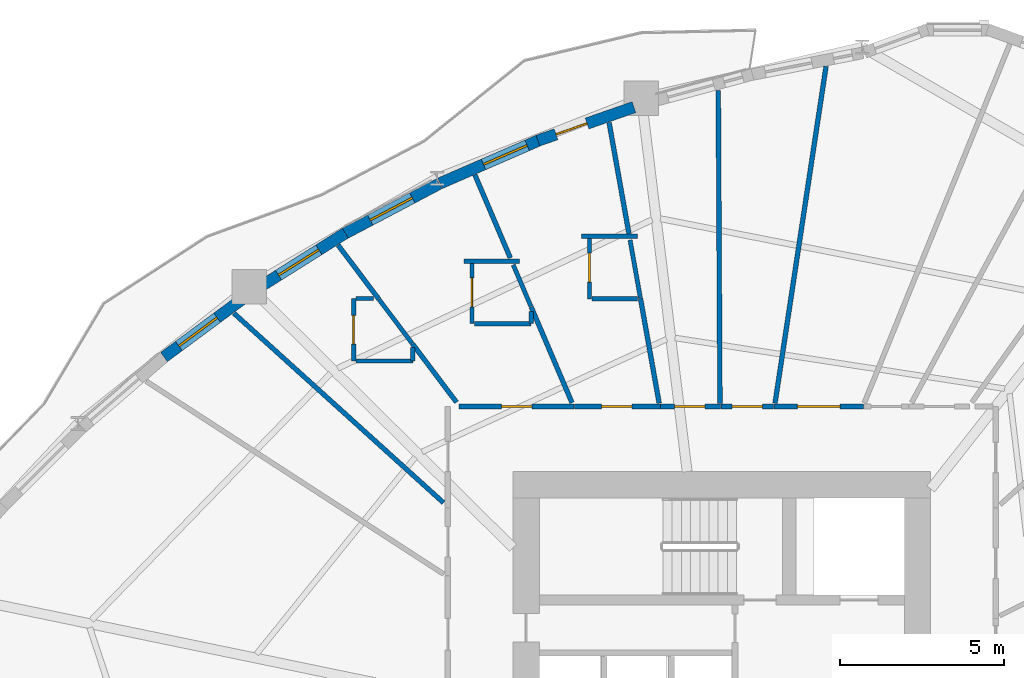
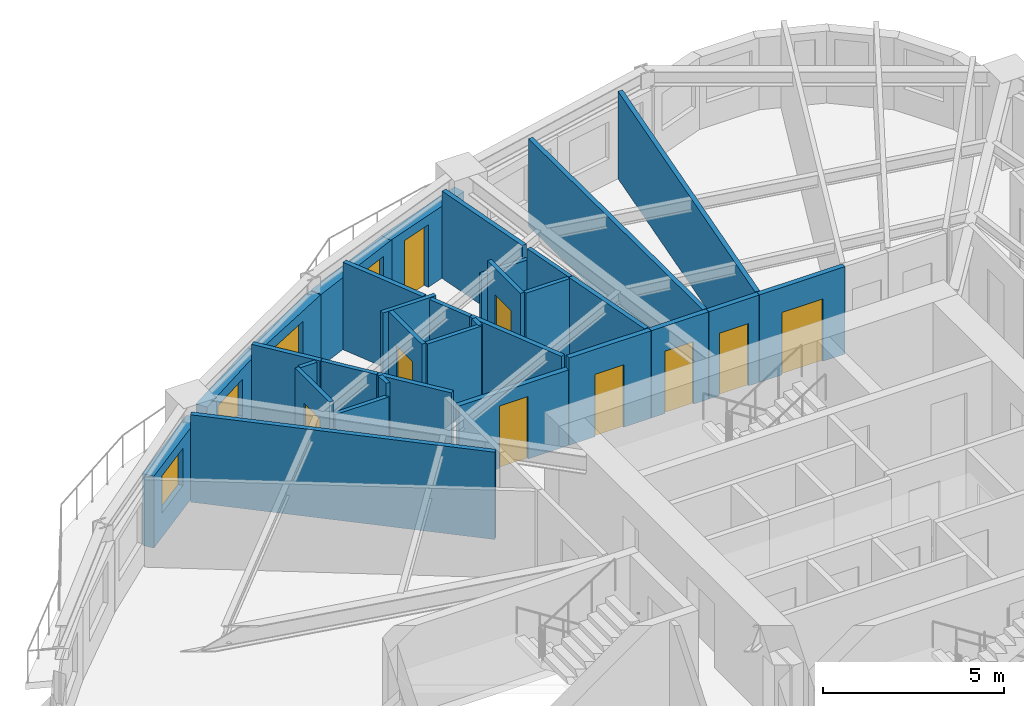
# One storey, part 8 of 14: 33 walls, 9 doors, 4 windows, 13 openings.
"""IFC4 building model written with IfcOpenShell, lengths in metres."""

from ifc_helpers import new_model, si_unit, direction, frame, frame_2d, origin, place, context, subcontext, project, spatial, rectangle, extrude, source, transform, mapped, material, layer, layer_set, type_object, element, fill, save


model = new_model("IFC4")

# Units and contexts
model_context = context("Model", 3, precision=1e-05, world=origin(), true_north=direction((0.0, 1.0)))
body_context = subcontext(model_context, "Body", "Model", "MODEL_VIEW")
ifc_project = project(units=[si_unit("LENGTHUNIT", "METRE"), si_unit("AREAUNIT", "SQUARE_METRE"), si_unit("VOLUMEUNIT", "CUBIC_METRE"), si_unit("PLANEANGLEUNIT", "RADIAN"), si_unit("MASSUNIT", "GRAM", prefix="KILO")], contexts=[model_context])

# Site, building, storey
site_placement = place(None, origin())
site = spatial("IfcSite", under=ifc_project, at=site_placement, CompositionType="ELEMENT")
building_placement = place(site_placement, origin())
building = spatial("IfcBuilding", under=site, at=building_placement, Name="Qafzar Sky-Pleat Residences", CompositionType="ELEMENT")
storey_placement = place(building_placement, frame((0.0, 0.0, 43.0)))
storey = spatial("IfcBuildingStorey", under=building, at=storey_placement, Name="L12", CompositionType="ELEMENT", Elevation=43.0)

# Wall, opening, door
ifc_material_1 = material(Name="Acoustic gypsum plasterboard partition", Category="gypsum")
ifc_layer_1 = layer(ifc_material_1, 0.159912109375)
ifc_layer_set_1 = layer_set([ifc_layer_1], Name="Acoustic gypsum plasterboard partition")
wall_type_1 = type_object("IfcWallType", Name="PART-COR-160", PredefinedType="PARTITIONING", material=ifc_layer_set_1)
wall_1_placement = place(storey_placement, frame((22.361083984375, 36.580078125, 0.0), z_axis=(0.0, 0.0, 1.0), x_axis=(1.0, 0.0, 0.0)))
wall_1 = element("IfcWall", 1, at=wall_1_placement, inside=storey, type_object=wall_type_1, Name="L12 Partition Wall PART-L12-PW-005", PredefinedType="PARTITIONING", context=body_context, shape_type="SweptSolid", body=[
    extrude(rectangle(XDim=3.497802734375, YDim=0.159912109375, at=frame_2d((1.7490234375, 0.0))), origin(), (0.0, 0.0, 1.0), 2.548095703125),
])
opening_1_placement = place(wall_1_placement, frame((1.29052734375, 0.0, 0.0)))
opening_1 = element("IfcOpeningElement", 2, at=opening_1_placement, cuts=wall_1, Name="Opening ID-04", PredefinedType="OPENING", context=body_context, shape_type="SweptSolid", body=[
    extrude(rectangle(XDim=0.919921875, YDim=2.10009765625, at=frame_2d((0.4599609375, 1.050048828125))), frame((0.0, 0.08984375, 0.0), z_axis=(0.0, -1.0, 0.0), x_axis=(1.0, 0.0, 0.0)), (0.0, 0.0, 1.0), 0.179931640625),
])
ifc_material_2 = material(Name="Timber-faced fire door", Category="wood")
door_type_1 = type_object("IfcDoorType", Name="DR-BED-920", OperationType="NOTDEFINED", PredefinedType="DOOR", material=ifc_material_2)
shared_shape_1 = source(origin(), body_context, "Body", "SweptSolid", [
    extrude(rectangle(XDim=0.919921875, YDim=2.10009765625, at=frame_2d((0.4599609375, 1.050048828125))), frame((0.0, 0.02490234375, 0.0), z_axis=(0.0, -1.0, 0.0), x_axis=(1.0, 0.0, 0.0)), (0.0, 0.0, 1.0), 0.050048828125),
])
door_1_placement = place(opening_1_placement, origin())
door_1 = element("IfcDoor", 3, at=door_1_placement, inside=storey, type_object=door_type_1, Name="L12 Co-Living Bedroom 13 Door", OperationType="SINGLE_SWING_LEFT", OverallHeight=2.10009765625, OverallWidth=0.919921875, PredefinedType="DOOR", context=body_context, shape_type="MappedRepresentation", body=[
    mapped(shared_shape_1, transform((0.0, 0.0, 0.0), x_axis=(1.0, 0.0, 0.0), y_axis=(0.0, 1.0, 0.0), z_axis=(0.0, 0.0, 1.0), scale=1.0)),
])
fill(opening_1, door_1)

wall_2_placement = place(storey_placement, frame((31.93798828125, 36.580078125, 0.0), z_axis=(0.0, 0.0, 1.0), x_axis=(1.0, 0.0, 0.0)))
wall_2 = element("IfcWall", 4, at=wall_2_placement, inside=storey, type_object=wall_type_1, Name="L12 Partition Wall PART-L12-PW-013", PredefinedType="PARTITIONING", context=body_context, shape_type="SweptSolid", body=[
    extrude(rectangle(XDim=2.718017578125, YDim=0.159912109375, at=frame_2d((1.35888671875, 0.0))), origin(), (0.0, 0.0, 1.0), 2.93994140625),
])
opening_2_placement = place(wall_2_placement, frame((0.7080078125, 0.0, 0.0)))
opening_2 = element("IfcOpeningElement", 5, at=opening_2_placement, cuts=wall_2, Name="Opening ID-05", PredefinedType="OPENING", context=body_context, shape_type="SweptSolid", body=[
    extrude(rectangle(XDim=1.300048828125, YDim=2.10009765625, at=frame_2d((0.64990234375, 1.050048828125))), frame((0.0, 0.08984375, 0.0), z_axis=(0.0, -1.0, 0.0), x_axis=(1.0, 0.0, 0.0)), (0.0, 0.0, 1.0), 0.179931640625),
])
door_type_2 = type_object("IfcDoorType", Name="DR-LNG-1300", OperationType="DOUBLE_DOOR_SINGLE_SWING", PredefinedType="DOOR", material=ifc_material_2)
shared_shape_2 = source(origin(), body_context, "Body", "SweptSolid", [
    extrude(rectangle(XDim=1.300048828125, YDim=2.10009765625, at=frame_2d((0.64990234375, 1.050048828125))), frame((0.0, 0.02490234375, 0.0), z_axis=(0.0, -1.0, 0.0), x_axis=(1.0, 0.0, 0.0)), (0.0, 0.0, 1.0), 0.050048828125),
])
door_2_placement = place(opening_2_placement, origin())
door_2 = element("IfcDoor", 6, at=door_2_placement, inside=storey, type_object=door_type_2, Name="L12 Common Dining Room Door", OperationType="DOUBLE_DOOR_SINGLE_SWING", OverallHeight=2.10009765625, OverallWidth=1.300048828125, PredefinedType="DOOR", context=body_context, shape_type="MappedRepresentation", body=[
    mapped(shared_shape_2, transform((0.0, 0.0, 0.0), x_axis=(1.0, 0.0, 0.0), y_axis=(0.0, 1.0, 0.0), z_axis=(0.0, 0.0, 1.0), scale=1.0)),
])
fill(opening_2, door_2)

wall_3_placement = place(storey_placement, frame((25.8740234375, 36.580078125, 0.0), z_axis=(0.0, 0.0, 1.0), x_axis=(1.0, 0.0, 0.0)))
wall_3 = element("IfcWall", 7, at=wall_3_placement, inside=storey, type_object=wall_type_1, Name="L12 Partition Wall PART-L12-PW-015", PredefinedType="PARTITIONING", context=body_context, shape_type="SweptSolid", body=[
    extrude(rectangle(XDim=2.60400390625, YDim=0.159912109375, at=frame_2d((1.302001953125, 0.0))), origin(), (0.0, 0.0, 1.0), 2.93994140625),
])
opening_3_placement = place(wall_3_placement, frame((0.819091796875, 0.0, 0.0)))
opening_3 = element("IfcOpeningElement", 8, at=opening_3_placement, cuts=wall_3, Name="Opening ID-04", PredefinedType="OPENING", context=body_context, shape_type="SweptSolid", body=[
    extrude(rectangle(XDim=0.919921875, YDim=2.10009765625, at=frame_2d((0.4599609375, 1.050048828125))), frame((0.0, 0.08984375, 0.0), z_axis=(0.0, -1.0, 0.0), x_axis=(1.0, 0.0, 0.0)), (0.0, 0.0, 1.0), 0.179931640625),
])
door_3_placement = place(opening_3_placement, origin())
door_3 = element("IfcDoor", 9, at=door_3_placement, inside=storey, type_object=door_type_1, Name="L12 Co-Living Bedroom 14 Door", OperationType="SINGLE_SWING_LEFT", OverallHeight=2.10009765625, OverallWidth=0.919921875, PredefinedType="DOOR", context=body_context, shape_type="MappedRepresentation", body=[
    mapped(shared_shape_1, transform((0.0, 0.0, 0.0), x_axis=(1.0, 0.0, 0.0), y_axis=(0.0, 1.0, 0.0), z_axis=(0.0, 0.0, 1.0), scale=1.0)),
])
fill(opening_3, door_3)

wall_4_placement = place(storey_placement, frame((28.492919921875, 36.580078125, 0.0), z_axis=(0.0, 0.0, 1.0), x_axis=(1.0, 0.0, 0.0)))
wall_4 = element("IfcWall", 10, at=wall_4_placement, inside=storey, type_object=wall_type_1, Name="L12 Partition Wall PART-L12-PW-030", PredefinedType="PARTITIONING", context=body_context, shape_type="SweptSolid", body=[
    extrude(rectangle(XDim=1.816162109375, YDim=0.159912109375, at=frame_2d((0.908203125, 0.0))), origin(), (0.0, 0.0, 1.0), 2.93994140625),
])
opening_4_placement = place(wall_4_placement, frame((0.425537109375, 0.0, 0.0)))
opening_4 = element("IfcOpeningElement", 11, at=opening_4_placement, cuts=wall_4, Name="Opening ID-04", PredefinedType="OPENING", context=body_context, shape_type="SweptSolid", body=[
    extrude(rectangle(XDim=0.919921875, YDim=2.10009765625, at=frame_2d((0.4599609375, 1.050048828125))), frame((0.0, 0.08984375, 0.0), z_axis=(0.0, -1.0, 0.0), x_axis=(1.0, 0.0, 0.0)), (0.0, 0.0, 1.0), 0.179931640625),
])
door_4_placement = place(opening_4_placement, origin())
door_4 = element("IfcDoor", 12, at=door_4_placement, inside=storey, type_object=door_type_1, Name="L12 Co-Living Bedroom 11 Door", OperationType="SINGLE_SWING_RIGHT", OverallHeight=2.10009765625, OverallWidth=0.919921875, PredefinedType="DOOR", context=body_context, shape_type="MappedRepresentation", body=[
    mapped(shared_shape_1, transform((0.0, 0.0, 0.0), x_axis=(1.0, 0.0, 0.0), y_axis=(0.0, 1.0, 0.0), z_axis=(0.0, 0.0, 1.0), scale=1.0)),
])
fill(opening_4, door_4)

wall_5_placement = place(storey_placement, frame((30.323974609375, 36.580078125, 0.0), z_axis=(0.0, 0.0, 1.0), x_axis=(1.0, 0.0, 0.0)))
wall_5 = element("IfcWall", 13, at=wall_5_placement, inside=storey, type_object=wall_type_1, Name="L12 Partition Wall PART-L12-PW-032", PredefinedType="PARTITIONING", context=body_context, shape_type="SweptSolid", body=[
    extrude(rectangle(XDim=1.59912109375, YDim=0.159912109375, at=frame_2d((0.799560546875, 0.0))), origin(), (0.0, 0.0, 1.0), 2.93994140625),
])
opening_5_placement = place(wall_5_placement, frame((0.339599609375, 0.0, 0.0)))
opening_5 = element("IfcOpeningElement", 14, at=opening_5_placement, cuts=wall_5, Name="Opening ID-04", PredefinedType="OPENING", context=body_context, shape_type="SweptSolid", body=[
    extrude(rectangle(XDim=0.919921875, YDim=2.10009765625, at=frame_2d((0.4599609375, 1.050048828125))), frame((0.0, 0.08984375, 0.0), z_axis=(0.0, -1.0, 0.0), x_axis=(1.0, 0.0, 0.0)), (0.0, 0.0, 1.0), 0.179931640625),
])
door_5_placement = place(opening_5_placement, origin())
door_5 = element("IfcDoor", 15, at=door_5_placement, inside=storey, type_object=door_type_1, Name="L12 Co-Living Bedroom 12 Door", OperationType="SINGLE_SWING_RIGHT", OverallHeight=2.10009765625, OverallWidth=0.919921875, PredefinedType="DOOR", context=body_context, shape_type="MappedRepresentation", body=[
    mapped(shared_shape_1, transform((0.0, 0.0, 0.0), x_axis=(1.0, 0.0, 0.0), y_axis=(0.0, 1.0, 0.0), z_axis=(0.0, 0.0, 1.0), scale=1.0)),
])
fill(opening_5, door_5)

# Walls
ifc_layer_2 = layer(ifc_material_1, 0.14501953125)
ifc_layer_set_2 = layer_set([ifc_layer_2], Name="Acoustic gypsum plasterboard partition")
wall_type_2 = type_object("IfcWallType", Name="PART-UNIT-145", PredefinedType="PARTITIONING", material=ifc_layer_set_2)
wall_6_placement = place(storey_placement, frame((31.968017578125, 36.6787109375, 0.0), z_axis=(0.0, 0.0, 1.0), x_axis=(0.149735581821, 0.9887260771, 0.0)))
element("IfcWall", 16, at=wall_6_placement, inside=storey, type_object=wall_type_2, Name="L12 Partition Wall PART-L12-PW-040", PredefinedType="PARTITIONING", context=body_context, shape_type="SweptSolid", body=[
    extrude(rectangle(XDim=10.361572265625, YDim=0.14501953125, at=frame_2d((5.1806640625, 0.0))), origin(), (0.0, 0.0, 1.0), 2.93994140625),
])
wall_7_placement = place(storey_placement, frame((30.2421875, 46.18798828125, 0.0), z_axis=(0.0, 0.0, 1.0), x_axis=(0.00538564204, -0.999985497325, 0.0)))
element("IfcWall", 17, at=wall_7_placement, inside=storey, type_object=wall_type_2, Name="L12 Partition Wall PART-L12-PW-042", PredefinedType="PARTITIONING", context=body_context, shape_type="SweptSolid", body=[
    extrude(rectangle(XDim=9.519775390625, YDim=0.14501953125, at=frame_2d((4.759765625, 0.0))), origin(), (0.0, 0.0, 1.0), 2.93994140625),
])
wall_8_placement = place(storey_placement, frame((15.516357421875, 39.412841796875, 0.0), z_axis=(0.0, 0.0, 1.0), x_axis=(0.741796419009, -0.670625135784, 0.0)))
element("IfcWall", 18, at=wall_8_placement, inside=storey, type_object=wall_type_2, Name="L12 Partition Wall PART-L12-PW-043", PredefinedType="PARTITIONING", context=body_context, shape_type="SweptSolid", body=[
    extrude(rectangle(XDim=8.586181640625, YDim=0.14501953125, at=frame_2d((4.29296875, 0.0))), origin(), (0.0, 0.0, 1.0), 2.93994140625),
])
wall_9_placement = place(storey_placement, frame((26.923095703125, 45.212890625, 0.0), z_axis=(0.0, 0.0, 1.0), x_axis=(0.175687492323, -0.98444598889, 0.0)))
element("IfcWall", 19, at=wall_9_placement, inside=storey, type_object=wall_type_2, Name="L12 Partition Wall PART-L12-PW-055", PredefinedType="PARTITIONING", context=body_context, shape_type="SweptSolid", body=[
    extrude(rectangle(XDim=3.440673828125, YDim=0.14501953125, at=frame_2d((1.72021484375, 0.0))), origin(), (0.0, 0.0, 1.0), 2.93994140625),
])
wall_10_placement = place(storey_placement, frame((27.8759765625, 39.8701171875, 0.0), z_axis=(0.0, 0.0, 1.0), x_axis=(0.175655014507, -0.984451784436, 0.0)))
element("IfcWall", 20, at=wall_10_placement, inside=storey, type_object=wall_type_2, Name="L12 Partition Wall PART-L12-PW-058", PredefinedType="PARTITIONING", context=body_context, shape_type="SweptSolid", body=[
    extrude(rectangle(XDim=3.23974609375, YDim=0.14501953125, at=frame_2d((1.619873046875, 0.0))), origin(), (0.0, 0.0, 1.0), 2.93994140625),
])
wall_11_placement = place(storey_placement, frame((24.552001953125, 39.610107421875, 0.0), z_axis=(0.0, 0.0, 1.0), x_axis=(0.391974411108, -0.919976119819, 0.0)))
element("IfcWall", 21, at=wall_11_placement, inside=storey, type_object=wall_type_2, Name="L12 Partition Wall PART-L12-PW-059", PredefinedType="PARTITIONING", context=body_context, shape_type="SweptSolid", body=[
    extrude(rectangle(XDim=3.167724609375, YDim=0.14501953125, at=frame_2d((1.583984375, 0.0))), origin(), (0.0, 0.0, 1.0), 2.93994140625),
])
wall_12_placement = place(storey_placement, frame((22.84130859375, 43.6259765625, 0.0), z_axis=(0.0, 0.0, 1.0), x_axis=(0.392030625658, -0.919952166445, 0.0)))
element("IfcWall", 22, at=wall_12_placement, inside=storey, type_object=wall_type_2, Name="L12 Partition Wall PART-L12-PW-062", PredefinedType="PARTITIONING", context=body_context, shape_type="SweptSolid", body=[
    extrude(rectangle(XDim=2.7470703125, YDim=0.14501953125, at=frame_2d((1.37353515625, 0.0))), origin(), (0.0, 0.0, 1.0), 2.93994140625),
])
wall_13_placement = place(storey_placement, frame((20.94091796875, 38.489990234375, 0.0), z_axis=(0.0, 0.0, 1.0), x_axis=(0.601733790382, -0.798696716853, 0.0)))
element("IfcWall", 23, at=wall_13_placement, inside=storey, type_object=wall_type_2, Name="L12 Partition Wall PART-L12-PW-066", PredefinedType="PARTITIONING", context=body_context, shape_type="SweptSolid", body=[
    extrude(rectangle(XDim=2.228759765625, YDim=0.14501953125, at=frame_2d((1.1142578125, 0.0))), origin(), (0.0, 0.0, 1.0), 2.93994140625),
])
wall_14_placement = place(storey_placement, frame((18.681396484375, 41.48876953125, 0.0), z_axis=(0.0, 0.0, 1.0), x_axis=(0.601842551228, -0.79861476541, 0.0)))
element("IfcWall", 24, at=wall_14_placement, inside=storey, type_object=wall_type_2, Name="L12 Partition Wall PART-L12-PW-068", PredefinedType="PARTITIONING", context=body_context, shape_type="SweptSolid", body=[
    extrude(rectangle(XDim=2.0546875, YDim=0.14501953125, at=frame_2d((1.02734375, 0.0))), origin(), (0.0, 0.0, 1.0), 2.93994140625),
])

# Wall, opening, door
ifc_material_3 = material(Name="Moisture-resistant gypsum partition", Category="gypsum")
ifc_layer_3 = layer(ifc_material_3, 0.1298828125)
ifc_layer_set_3 = layer_set([ifc_layer_3], Name="Moisture-resistant gypsum partition")
wall_type_3 = type_object("IfcWallType", Name="PART-WET-130", PredefinedType="PARTITIONING", material=ifc_layer_set_3)
wall_15_placement = place(storey_placement, frame((26.324951171875, 41.681884765625, 0.0), z_axis=(0.0, 0.0, 1.0), x_axis=(0.0, -1.0, 0.0)))
wall_15 = element("IfcWall", 25, at=wall_15_placement, inside=storey, type_object=wall_type_3, Name="L12 Partition Wall PART-L12-PW-019", PredefinedType="PARTITIONING", context=body_context, shape_type="SweptSolid", body=[
    extrude(rectangle(XDim=1.826904296875, YDim=0.1298828125, at=frame_2d((0.91357421875, 0.0))), origin(), (0.0, 0.0, 1.0), 2.93994140625),
])
opening_6_placement = place(wall_15_placement, frame((0.43701171875, 0.0, 0.0)))
opening_6 = element("IfcOpeningElement", 26, at=opening_6_placement, cuts=wall_15, Name="Opening ID-07", PredefinedType="OPENING", context=body_context, shape_type="SweptSolid", body=[
    extrude(rectangle(XDim=0.8798828125, YDim=2.050048828125, at=frame_2d((0.43994140625, 1.02490234375))), frame((0.0, 0.074951171875, 0.0), z_axis=(0.0, -1.0, 0.0), x_axis=(1.0, 0.0, 0.0)), (0.0, 0.0, 1.0), 0.14990234375),
])
door_type_3 = type_object("IfcDoorType", Name="DR-WET-880", OperationType="NOTDEFINED", PredefinedType="DOOR", material=ifc_material_2)
shared_shape_3 = source(origin(), body_context, "Body", "SweptSolid", [
    extrude(rectangle(XDim=0.8798828125, YDim=2.050048828125, at=frame_2d((0.43994140625, 1.02490234375))), frame((0.0, 0.02490234375, 0.0), z_axis=(0.0, -1.0, 0.0), x_axis=(1.0, 0.0, 0.0)), (0.0, 0.0, 1.0), 0.050048828125),
])
door_6_placement = place(opening_6_placement, origin())
door_6 = element("IfcDoor", 27, at=door_6_placement, inside=storey, type_object=door_type_3, Name="L12 En-suite Bathroom 14 Door", OperationType="SINGLE_SWING_LEFT", OverallHeight=2.050048828125, OverallWidth=0.8798828125, PredefinedType="DOOR", context=body_context, shape_type="MappedRepresentation", body=[
    mapped(shared_shape_3, transform((0.0, 0.0, 0.0), x_axis=(1.0, 0.0, 0.0), y_axis=(0.0, 1.0, 0.0), z_axis=(0.0, 0.0, 1.0), scale=1.0)),
])
fill(opening_6, door_6)

wall_16_placement = place(storey_placement, frame((22.751953125, 40.925048828125, 0.0), z_axis=(0.0, 0.0, 1.0), x_axis=(0.0, -1.0, 0.0)))
wall_16 = element("IfcWall", 28, at=wall_16_placement, inside=storey, type_object=wall_type_3, Name="L12 Partition Wall PART-L12-PW-026", PredefinedType="PARTITIONING", context=body_context, shape_type="SweptSolid", body=[
    extrude(rectangle(XDim=1.8271484375, YDim=0.1298828125, at=frame_2d((0.91357421875, 0.0))), origin(), (0.0, 0.0, 1.0), 2.93994140625),
])
opening_7_placement = place(wall_16_placement, frame((0.43701171875, 0.0, 0.0)))
opening_7 = element("IfcOpeningElement", 29, at=opening_7_placement, cuts=wall_16, Name="Opening ID-07", PredefinedType="OPENING", context=body_context, shape_type="SweptSolid", body=[
    extrude(rectangle(XDim=0.8798828125, YDim=2.050048828125, at=frame_2d((0.43994140625, 1.02490234375))), frame((0.0, 0.074951171875, 0.0), z_axis=(0.0, -1.0, 0.0), x_axis=(1.0, 0.0, 0.0)), (0.0, 0.0, 1.0), 0.14990234375),
])
door_7_placement = place(opening_7_placement, origin())
door_7 = element("IfcDoor", 30, at=door_7_placement, inside=storey, type_object=door_type_3, Name="L12 En-suite Bathroom 13 Door", OperationType="SINGLE_SWING_RIGHT", OverallHeight=2.050048828125, OverallWidth=0.8798828125, PredefinedType="DOOR", context=body_context, shape_type="MappedRepresentation", body=[
    mapped(shared_shape_3, transform((0.0, 0.0, 0.0), x_axis=(1.0, 0.0, 0.0), y_axis=(0.0, 1.0, 0.0), z_axis=(0.0, 0.0, 1.0), scale=1.0)),
])
fill(opening_7, door_7)

wall_17_placement = place(storey_placement, frame((19.156005859375, 39.863037109375, 0.0), z_axis=(0.0, 0.0, 1.0), x_axis=(0.0, -1.0, 0.0)))
wall_17 = element("IfcWall", 31, at=wall_17_placement, inside=storey, type_object=wall_type_3, Name="L12 Partition Wall PART-L12-PW-027", PredefinedType="PARTITIONING", context=body_context, shape_type="SweptSolid", body=[
    extrude(rectangle(XDim=1.900146484375, YDim=0.1298828125, at=frame_2d((0.9501953125, 0.0))), origin(), (0.0, 0.0, 1.0), 2.93994140625),
])
opening_8_placement = place(wall_17_placement, frame((0.510009765625, 0.0, 0.0)))
opening_8 = element("IfcOpeningElement", 32, at=opening_8_placement, cuts=wall_17, Name="Opening ID-07", PredefinedType="OPENING", context=body_context, shape_type="SweptSolid", body=[
    extrude(rectangle(XDim=0.8798828125, YDim=2.050048828125, at=frame_2d((0.43994140625, 1.02490234375))), frame((0.0, 0.074951171875, 0.0), z_axis=(0.0, -1.0, 0.0), x_axis=(1.0, 0.0, 0.0)), (0.0, 0.0, 1.0), 0.14990234375),
])
door_8_placement = place(opening_8_placement, origin())
door_8 = element("IfcDoor", 33, at=door_8_placement, inside=storey, type_object=door_type_3, Name="L12 En-suite Bathroom 16 Door", OperationType="SINGLE_SWING_LEFT", OverallHeight=2.050048828125, OverallWidth=0.8798828125, PredefinedType="DOOR", context=body_context, shape_type="MappedRepresentation", body=[
    mapped(shared_shape_3, transform((0.0, 0.0, 0.0), x_axis=(1.0, 0.0, 0.0), y_axis=(0.0, 1.0, 0.0), z_axis=(0.0, 0.0, 1.0), scale=1.0)),
])
fill(opening_8, door_8)

# Walls
wall_18_placement = place(storey_placement, frame((27.56005859375, 41.640869140625, 0.0), z_axis=(0.0, 0.0, 1.0), x_axis=(0.175463771609, -0.9844858886, 0.0)))
element("IfcWall", 34, at=wall_18_placement, inside=storey, type_object=wall_type_3, Name="L12 Partition Wall PART-L12-PW-071", PredefinedType="PARTITIONING", context=body_context, shape_type="SweptSolid", body=[
    extrude(rectangle(XDim=1.78369140625, YDim=0.1298828125, at=frame_2d((0.891845703125, 0.0))), origin(), (0.0, 0.0, 1.0), 2.93994140625),
])
wall_19_placement = place(storey_placement, frame((22.824951171875, 39.097900390625, 0.0), z_axis=(0.0, 0.0, 1.0), x_axis=(1.0, 0.0, 0.0)))
element("IfcWall", 35, at=wall_19_placement, inside=storey, type_object=wall_type_3, Name="L12 Partition Wall PART-L12-PW-079", PredefinedType="PARTITIONING", context=body_context, shape_type="SweptSolid", body=[
    extrude(rectangle(XDim=1.72705078125, YDim=0.1298828125, at=frame_2d((0.863525390625, 0.0))), origin(), (0.0, 0.0, 1.0), 2.93994140625),
])
wall_20_placement = place(storey_placement, frame((19.22900390625, 37.962890625, 0.0), z_axis=(0.0, 0.0, 1.0), x_axis=(1.0, 0.0, 0.0)))
element("IfcWall", 36, at=wall_20_placement, inside=storey, type_object=wall_type_3, Name="L12 Partition Wall PART-L12-PW-080", PredefinedType="PARTITIONING", context=body_context, shape_type="SweptSolid", body=[
    extrude(rectangle(XDim=1.72705078125, YDim=0.1298828125, at=frame_2d((0.863525390625, 0.0))), origin(), (0.0, 0.0, 1.0), 2.508056640625),
])
wall_21_placement = place(storey_placement, frame((19.9267578125, 39.835693359375, 0.0), z_axis=(0.0, 0.0, 1.0), x_axis=(0.601846185739, -0.798612026401, 0.0)))
element("IfcWall", 37, at=wall_21_placement, inside=storey, type_object=wall_type_3, Name="L12 Partition Wall PART-L12-PW-084", PredefinedType="PARTITIONING", context=body_context, shape_type="SweptSolid", body=[
    extrude(rectangle(XDim=1.670166015625, YDim=0.1298828125, at=frame_2d((0.8349609375, 0.0))), origin(), (0.0, 0.0, 1.0), 2.93994140625),
])
wall_22_placement = place(storey_placement, frame((26.39794921875, 39.85498046875, 0.0), z_axis=(0.0, 0.0, 1.0), x_axis=(1.0, 0.0, 0.0)))
element("IfcWall", 38, at=wall_22_placement, inside=storey, type_object=wall_type_3, Name="L12 Partition Wall PART-L12-PW-088", PredefinedType="PARTITIONING", context=body_context, shape_type="SweptSolid", body=[
    extrude(rectangle(XDim=1.387939453125, YDim=0.1298828125, at=frame_2d((0.69384765625, 0.0))), origin(), (0.0, 0.0, 1.0), 2.93994140625),
])
wall_23_placement = place(storey_placement, frame((24.008544921875, 40.886474609375, 0.0), z_axis=(0.0, 0.0, 1.0), x_axis=(0.39172821254, -0.920080978773, 0.0)))
element("IfcWall", 39, at=wall_23_placement, inside=storey, type_object=wall_type_3, Name="L12 Partition Wall PART-L12-PW-089", PredefinedType="PARTITIONING", context=body_context, shape_type="SweptSolid", body=[
    extrude(rectangle(XDim=1.372314453125, YDim=0.1298828125, at=frame_2d((0.68603515625, 0.0))), origin(), (0.0, 0.0, 1.0), 2.93994140625),
])
wall_24_placement = place(storey_placement, frame((26.0849609375, 41.7548828125, 0.0), z_axis=(0.0, 0.0, 1.0), x_axis=(1.0, 0.0, 0.0)))
element("IfcWall", 40, at=wall_24_placement, inside=storey, type_object=wall_type_3, Name="L12 Partition Wall PART-L12-PW-095", PredefinedType="PARTITIONING", context=body_context, shape_type="SweptSolid", body=[
    extrude(rectangle(XDim=1.695068359375, YDim=0.1298828125, at=frame_2d((0.84765625, 0.0))), origin(), (0.0, 0.0, 1.0), 2.508056640625),
])
wall_25_placement = place(storey_placement, frame((22.511962890625, 40.998046875, 0.0), z_axis=(0.0, 0.0, 1.0), x_axis=(1.0, 0.0, 0.0)))
element("IfcWall", 41, at=wall_25_placement, inside=storey, type_object=wall_type_3, Name="L12 Partition Wall PART-L12-PW-097", PredefinedType="PARTITIONING", context=body_context, shape_type="SweptSolid", body=[
    extrude(rectangle(XDim=1.68896484375, YDim=0.1298828125, at=frame_2d((0.844482421875, 0.0))), origin(), (0.0, 0.0, 1.0), 2.93994140625),
])
wall_26_placement = place(storey_placement, frame((19.22900390625, 39.863037109375, 0.0), z_axis=(0.0, 0.0, 1.0), x_axis=(1.0, 0.0, 0.0)))
element("IfcWall", 42, at=wall_26_placement, inside=storey, type_object=wall_type_3, Name="L12 Partition Wall PART-L12-PW-108", PredefinedType="PARTITIONING", context=body_context, shape_type="SweptSolid", body=[
    extrude(rectangle(XDim=0.5302734375, YDim=0.1298828125, at=frame_2d((0.26513671875, 0.0))), origin(), (0.0, 0.0, 1.0), 2.93994140625),
])
wall_27_placement = place(storey_placement, frame((24.552001953125, 39.097900390625, 0.0), z_axis=(0.0, 0.0, 1.0), x_axis=(0.0, 1.0, 0.0)))
element("IfcWall", 43, at=wall_27_placement, inside=storey, type_object=wall_type_3, Name="L12 Partition Wall PART-L12-PW-110", PredefinedType="PARTITIONING", context=body_context, shape_type="SweptSolid", body=[
    extrude(rectangle(XDim=0.377197265625, YDim=0.1298828125, at=frame_2d((0.1884765625, 0.0))), origin(), (0.0, 0.0, 1.0), 2.93994140625),
])
wall_28_placement = place(storey_placement, frame((20.9560546875, 37.962890625, 0.0), z_axis=(0.0, 0.0, 1.0), x_axis=(0.0, 1.0, 0.0)))
element("IfcWall", 44, at=wall_28_placement, inside=storey, type_object=wall_type_3, Name="L12 Partition Wall PART-L12-PW-111", PredefinedType="PARTITIONING", context=body_context, shape_type="SweptSolid", body=[
    extrude(rectangle(XDim=0.4169921875, YDim=0.1298828125, at=frame_2d((0.20849609375, 0.0))), origin(), (0.0, 0.0, 1.0), 2.93994140625),
])

# Wall, opening, door
ifc_material_4 = material(Name="Precast concrete C40/50 with honed Riyadh limestone", Category="concrete")
ifc_layer_4 = layer(ifc_material_4, 0.35009765625)
ifc_layer_set_4 = layer_set([ifc_layer_4], Name="Precast concrete C40/50 with honed Riyadh limestone")
wall_type_4 = type_object("IfcWallType", Name="WALL-EXT-350", PredefinedType="SOLIDWALL", material=ifc_layer_set_4)
wall_29_placement = place(storey_placement, frame((27.67919921875, 45.6826171875, 0.0), z_axis=(0.0, 0.0, 1.0), x_axis=(-0.944147093892, -0.32952430122, 0.0)))
wall_29 = element("IfcWall", 45, at=wall_29_placement, inside=storey, type_object=wall_type_4, Name="L12 Limestone Facade Wall 41", PredefinedType="SOLIDWALL", context=body_context, shape_type="SweptSolid", body=[
    extrude(rectangle(XDim=3.093994140625, YDim=0.35009765625, at=frame_2d((1.546875, 0.0))), origin(), (0.0, 0.0, 1.0), 2.419921875),
])
opening_9_placement = place(wall_29_placement, frame((1.510986328125, 0.0, 0.0)))
opening_9 = element("IfcOpeningElement", 46, at=opening_9_placement, cuts=wall_29, Name="Opening ED-05", PredefinedType="OPENING", context=body_context, shape_type="SweptSolid", body=[
    extrude(rectangle(XDim=1.0, YDim=2.10009765625, at=frame_2d((0.5, 1.050048828125))), frame((0.0, 0.18505859375, 0.0), z_axis=(0.0, -1.0, 0.0), x_axis=(1.0, 0.0, 0.0)), (0.0, 0.0, 1.0), 0.3701171875),
])
ifc_material_5 = material(Name="Glazed bronze aluminium door", Category="aluminium")
door_type_4 = type_object("IfcDoorType", Name="DR-BAL-1000", OperationType="NOTDEFINED", PredefinedType="DOOR", material=ifc_material_5)
shared_shape_4 = source(origin(), body_context, "Body", "SweptSolid", [
    extrude(rectangle(XDim=1.0, YDim=2.10009765625, at=frame_2d((0.5, 1.050048828125))), frame((0.0, 0.02490234375, 0.0), z_axis=(0.0, -1.0, 0.0), x_axis=(1.0, 0.0, 0.0)), (0.0, 0.0, 1.0), 0.050048828125),
])
door_9_placement = place(opening_9_placement, origin())
door_9 = element("IfcDoor", 47, at=door_9_placement, inside=storey, type_object=door_type_4, Name="L12 Glazed Balcony Door 2", OperationType="SINGLE_SWING_LEFT", OverallHeight=2.10009765625, OverallWidth=1.0, PredefinedType="DOOR", context=body_context, shape_type="MappedRepresentation", body=[
    mapped(shared_shape_4, transform((0.0, 0.0, 0.0), x_axis=(1.0, 0.0, 0.0), y_axis=(0.0, 1.0, 0.0), z_axis=(0.0, 0.0, 1.0), scale=1.0)),
])
fill(opening_9, door_9)

# Wall, opening, window
wall_30_placement = place(storey_placement, frame((24.8408203125, 44.695556640625, 0.0), z_axis=(0.0, 0.0, 1.0), x_axis=(-0.917061912289, -0.398744842009, 0.0)))
wall_30 = element("IfcWall", 48, at=wall_30_placement, inside=storey, type_object=wall_type_4, Name="L12 Limestone Facade Wall 42", PredefinedType="SOLIDWALL", context=body_context, shape_type="SweptSolid", body=[
    extrude(rectangle(XDim=3.336181640625, YDim=0.35009765625, at=frame_2d((1.66796875, 0.0))), origin(), (0.0, 0.0, 1.0), 2.419921875),
])
opening_10_placement = place(wall_30_placement, frame((0.445068359375, 0.0, 0.820068359375)))
opening_10 = element("IfcOpeningElement", 49, at=opening_10_placement, cuts=wall_30, Name="Opening WN-15", PredefinedType="OPENING", context=body_context, shape_type="SweptSolid", body=[
    extrude(rectangle(XDim=1.449951171875, YDim=1.25, at=frame_2d((0.72509765625, 0.625))), frame((0.0, 0.18505859375, 0.0), z_axis=(0.0, -1.0, 0.0), x_axis=(1.0, 0.0, 0.0)), (0.0, 0.0, 1.0), 0.3701171875),
])
ifc_material_6 = material(Name="Solar-control low-E glass in bronze aluminium frame", Category="glass")
window_type = type_object("IfcWindowType", Name="WIN-15", PartitioningType="SINGLE_PANEL", PredefinedType="WINDOW", material=ifc_material_6)
shared_shape_5 = source(origin(), body_context, "Body", "SweptSolid", [
    extrude(rectangle(XDim=1.449951171875, YDim=1.25, at=frame_2d((0.72509765625, 0.625))), frame((0.0, 0.030029296875, 0.0), z_axis=(0.0, -1.0, 0.0), x_axis=(1.0, 0.0, 0.0)), (0.0, 0.0, 1.0), 0.06005859375),
])
window_1_placement = place(opening_10_placement, origin())
window_1 = element("IfcWindow", 50, at=window_1_placement, inside=storey, type_object=window_type, Name="L12 Punched Facade Window 42", OverallHeight=1.25, OverallWidth=1.449951171875, PartitioningType="SINGLE_PANEL", PredefinedType="WINDOW", context=body_context, shape_type="MappedRepresentation", body=[
    mapped(shared_shape_5, transform((0.0, 0.0, 0.0), x_axis=(1.0, 0.0, 0.0), y_axis=(0.0, 1.0, 0.0), z_axis=(0.0, 0.0, 1.0), scale=1.0)),
])
fill(opening_10, window_1)

wall_31_placement = place(storey_placement, frame((21.757080078125, 43.353759765625, 0.0), z_axis=(0.0, 0.0, 1.0), x_axis=(-0.884394035355, -0.466741031224, 0.0)))
wall_31 = element("IfcWall", 51, at=wall_31_placement, inside=storey, type_object=wall_type_4, Name="L12 Limestone Facade Wall 43", PredefinedType="SOLIDWALL", context=body_context, shape_type="SweptSolid", body=[
    extrude(rectangle(XDim=3.3173828125, YDim=0.35009765625, at=frame_2d((1.65869140625, 0.0))), origin(), (0.0, 0.0, 1.0), 2.419921875),
])
opening_11_placement = place(wall_31_placement, frame((0.923583984375, 0.0, 0.820068359375)))
opening_11 = element("IfcOpeningElement", 52, at=opening_11_placement, cuts=wall_31, Name="Opening WN-15", PredefinedType="OPENING", context=body_context, shape_type="SweptSolid", body=[
    extrude(rectangle(XDim=1.449951171875, YDim=1.25, at=frame_2d((0.72509765625, 0.625))), frame((0.0, 0.18505859375, 0.0), z_axis=(0.0, -1.0, 0.0), x_axis=(1.0, 0.0, 0.0)), (0.0, 0.0, 1.0), 0.3701171875),
])
window_2_placement = place(opening_11_placement, origin())
window_2 = element("IfcWindow", 53, at=window_2_placement, inside=storey, type_object=window_type, Name="L12 Punched Facade Window 43", OverallHeight=1.25, OverallWidth=1.449951171875, PartitioningType="SINGLE_PANEL", PredefinedType="WINDOW", context=body_context, shape_type="MappedRepresentation", body=[
    mapped(shared_shape_5, transform((0.0, 0.0, 0.0), x_axis=(1.0, 0.0, 0.0), y_axis=(0.0, 1.0, 0.0), z_axis=(0.0, 0.0, 1.0), scale=1.0)),
])
fill(opening_11, window_2)

wall_32_placement = place(storey_placement, frame((18.900634765625, 41.849853515625, 0.0), z_axis=(0.0, 0.0, 1.0), x_axis=(-0.846436796602, -0.532489201167, 0.0)))
wall_32 = element("IfcWall", 54, at=wall_32_placement, inside=storey, type_object=wall_type_4, Name="L12 Limestone Facade Wall 44", PredefinedType="SOLIDWALL", context=body_context, shape_type="SweptSolid", body=[
    extrude(rectangle(XDim=3.03759765625, YDim=0.35009765625, at=frame_2d((1.518798828125, 0.0))), origin(), (0.0, 0.0, 1.0), 2.419921875),
])
opening_12_placement = place(wall_32_placement, frame((0.948486328125, 0.0, 0.820068359375)))
opening_12 = element("IfcOpeningElement", 55, at=opening_12_placement, cuts=wall_32, Name="Opening WN-15", PredefinedType="OPENING", context=body_context, shape_type="SweptSolid", body=[
    extrude(rectangle(XDim=1.449951171875, YDim=1.25, at=frame_2d((0.72509765625, 0.625))), frame((0.0, 0.18505859375, 0.0), z_axis=(0.0, -1.0, 0.0), x_axis=(1.0, 0.0, 0.0)), (0.0, 0.0, 1.0), 0.3701171875),
])
window_3_placement = place(opening_12_placement, origin())
window_3 = element("IfcWindow", 56, at=window_3_placement, inside=storey, type_object=window_type, Name="L12 Punched Facade Window 44", OverallHeight=1.25, OverallWidth=1.449951171875, PartitioningType="SINGLE_PANEL", PredefinedType="WINDOW", context=body_context, shape_type="MappedRepresentation", body=[
    mapped(shared_shape_5, transform((0.0, 0.0, 0.0), x_axis=(1.0, 0.0, 0.0), y_axis=(0.0, 1.0, 0.0), z_axis=(0.0, 0.0, 1.0), scale=1.0)),
])
fill(opening_12, window_3)

wall_33_placement = place(storey_placement, frame((15.845703125, 39.90185546875, 0.0), z_axis=(0.0, 0.0, 1.0), x_axis=(-0.803789189233, -0.594914228501, 0.0)))
wall_33 = element("IfcWall", 57, at=wall_33_placement, inside=storey, type_object=wall_type_4, Name="L12 Limestone Facade Wall 45", PredefinedType="SOLIDWALL", context=body_context, shape_type="SweptSolid", body=[
    extrude(rectangle(XDim=3.056396484375, YDim=0.35009765625, at=frame_2d((1.5283203125, 0.0))), origin(), (0.0, 0.0, 1.0), 2.419921875),
])
opening_13_placement = place(wall_33_placement, frame((1.044189453125, 0.0, 0.820068359375)))
opening_13 = element("IfcOpeningElement", 58, at=opening_13_placement, cuts=wall_33, Name="Opening WN-15", PredefinedType="OPENING", context=body_context, shape_type="SweptSolid", body=[
    extrude(rectangle(XDim=1.449951171875, YDim=1.25, at=frame_2d((0.72509765625, 0.625))), frame((0.0, 0.18505859375, 0.0), z_axis=(0.0, -1.0, 0.0), x_axis=(1.0, 0.0, 0.0)), (0.0, 0.0, 1.0), 0.3701171875),
])
window_4_placement = place(opening_13_placement, origin())
window_4 = element("IfcWindow", 59, at=window_4_placement, inside=storey, type_object=window_type, Name="L12 Punched Facade Window 45-2", OverallHeight=1.25, OverallWidth=1.449951171875, PartitioningType="SINGLE_PANEL", PredefinedType="WINDOW", context=body_context, shape_type="MappedRepresentation", body=[
    mapped(shared_shape_5, transform((0.0, 0.0, 0.0), x_axis=(1.0, 0.0, 0.0), y_axis=(0.0, 1.0, 0.0), z_axis=(0.0, 0.0, 1.0), scale=1.0)),
])
fill(opening_13, window_4)

save(model, "model.ifc")
